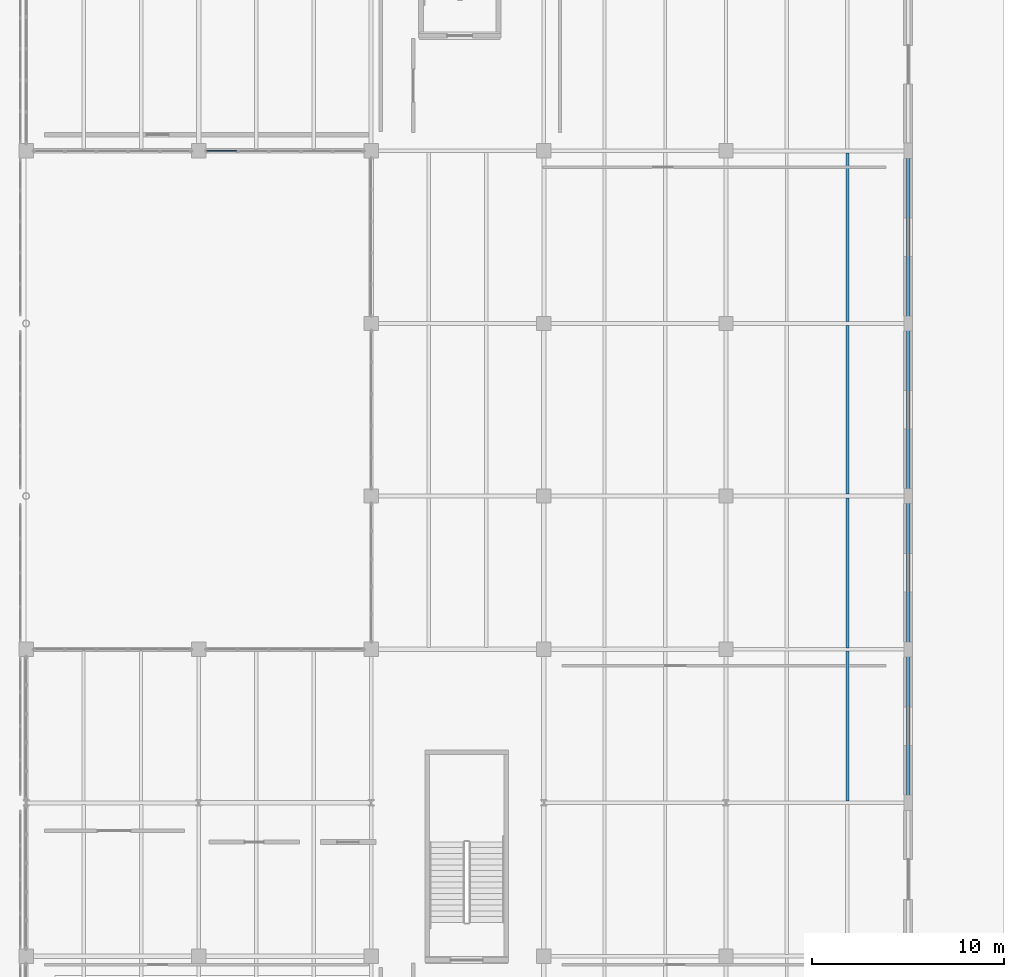
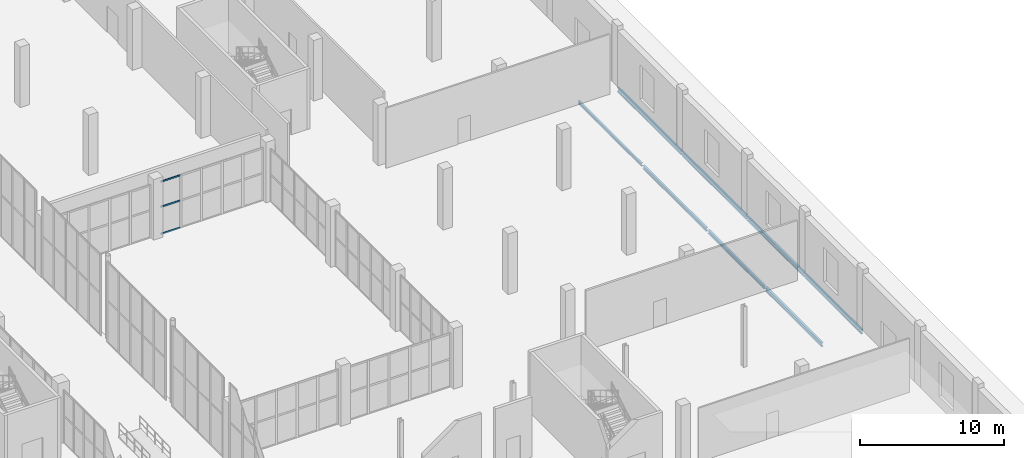
# One storey, part 61 of 103: 8 beams, 3 members, 1 element without a shape of its own.
"""IFC4 building model written with IfcOpenShell, lengths in metres."""

import ifcopenshell
import ifcopenshell.guid

model = None  # the IFC model being written
_history = None  # IfcOwnerHistory: only IFC2X3 demands one
_inside = {}  # id of a spatial element -> (the spatial element, [elements in it])
_under = {}  # id of a project, library or spatial element -> (it, [spatial elements below it])
_declared = {}  # id of a project -> (the project, [libraries it declares])
_typed = {}  # id of a type object -> (the type object, [elements of that type])
_made_of = {}  # id of a material, layer set ... -> (it, [elements and type objects made of it])


def new_model(schema):
    """Start an empty IFC model of exactly this schema.

    Asked for "IFC4X3", IfcOpenShell would pick the latest addendum, in which some entities
    have other attributes; the version numbers below select the first issue.
    IFC2X3 requires an IfcOwnerHistory on every rooted entity: one is made here for all.
    """
    global model, _history
    if schema == "IFC4X3":
        model = ifcopenshell.file(schema_version=(4, 3, 0, 0))
    else:
        model = ifcopenshell.file(schema=schema)
    _inside.clear()
    _under.clear()
    _declared.clear()
    _typed.clear()
    _made_of.clear()
    _history = None
    if model.schema == "IFC2X3":
        org = make("IfcOrganization", Name="unknown")
        user = make(
            "IfcPersonAndOrganization",
            ThePerson=make("IfcPerson", FamilyName="unknown"),
            TheOrganization=org,
        )
        app = make(
            "IfcApplication",
            ApplicationDeveloper=org,
            Version="unknown",
            ApplicationFullName="unknown",
            ApplicationIdentifier="unknown",
        )
        _history = make(
            "IfcOwnerHistory",
            OwningUser=user,
            OwningApplication=app,
            ChangeAction="ADDED",
            CreationDate=0,
        )
    return model


def make(cls, **values):
    """One entity of the class cls with the attributes given. An attribute that is None is left unset."""
    return model.create_entity(
        cls, **{name: value for name, value in values.items() if value is not None}
    )


def rooted(cls, **values):
    """An entity with a GlobalId (a new one), such as an element, a storey or a relation."""
    return make(cls, GlobalId=ifcopenshell.guid.new(), OwnerHistory=_history, **values)


def si_unit(unit_type, name, prefix=None):
    """IfcSIUnit, for example si_unit("LENGTHUNIT", "METRE", prefix="MILLI")."""
    return make("IfcSIUnit", UnitType=unit_type, Prefix=prefix, Name=name)


def assignment(units):
    """IfcUnitAssignment: the units of a project."""
    return None if units is None else make("IfcUnitAssignment", Units=units)


def point(xyz):
    """IfcCartesianPoint."""
    return None if xyz is None else make("IfcCartesianPoint", Coordinates=xyz)


def direction(xyz):
    """IfcDirection."""
    return None if xyz is None else make("IfcDirection", DirectionRatios=xyz)


def frame(location, z_axis=None, x_axis=None):
    """IfcAxis2Placement3D, a coordinate frame: its origin and axes. An axis left out is left unset."""
    return make(
        "IfcAxis2Placement3D",
        Location=point(location),
        Axis=direction(z_axis),
        RefDirection=direction(x_axis),
    )


def frame_2d(location, x_axis=None):
    """IfcAxis2Placement2D, a coordinate frame in the plane: its origin and x axis."""
    return make(
        "IfcAxis2Placement2D", Location=point(location), RefDirection=direction(x_axis)
    )


def origin():
    """The frame at (0, 0, 0) with its axes left unset."""
    return frame((0.0, 0.0, 0.0))


def origin_2d():
    """The frame at (0, 0) in the plane with its x axis left unset."""
    return frame_2d((0.0, 0.0))


def place(relative_to, where):
    """IfcLocalPlacement: puts the frame where relative to a parent placement (None: the world)."""
    return make(
        "IfcLocalPlacement", PlacementRelTo=relative_to, RelativePlacement=where
    )


def context(
    kind, dimensions, precision=None, world=None, true_north=None, identifier=None
):
    """IfcGeometricRepresentationContext, for example the 3D "Model" context."""
    return make(
        "IfcGeometricRepresentationContext",
        ContextIdentifier=identifier,
        ContextType=kind,
        CoordinateSpaceDimension=dimensions,
        Precision=precision,
        WorldCoordinateSystem=world,
        TrueNorth=true_north,
    )


def subcontext(parent, identifier, kind, view, scale=None):
    """IfcGeometricRepresentationSubContext, for example "Body" below "Model"."""
    return make(
        "IfcGeometricRepresentationSubContext",
        ContextIdentifier=identifier,
        ContextType=kind,
        ParentContext=parent,
        TargetScale=scale,
        TargetView=view,
    )


def project(units=None, contexts=None):
    """IfcProject with its units and contexts."""
    return rooted(
        "IfcProject",
        Name="project",
        RepresentationContexts=contexts,
        UnitsInContext=assignment(units),
    )


def spatial(cls, under=None, at=None, **own):
    """A site, building, storey or space (cls), placed at a placement, below another one or the project."""
    s = rooted(cls, ObjectPlacement=at, **own)
    if under is not None:
        _under.setdefault(under.id(), (under, []))[1].append(s)
    return s


def profile(cls, at=None, kind="AREA", **sizes):
    """A parametric profile (cls). Its sizes go by their IFC names, for example OverallWidth=200.0."""
    return make(cls, ProfileType=kind, Position=at, **sizes)


def rectangle(**sizes):
    """IfcRectangleProfileDef."""
    return profile("IfcRectangleProfileDef", **sizes)


def i_section(**sizes):
    """IfcIShapeProfileDef."""
    return profile("IfcIShapeProfileDef", **sizes)


def extrude(swept, where, along, depth):
    """IfcExtrudedAreaSolid: the profile swept, set in the frame where, extruded along a direction by depth."""
    return make(
        "IfcExtrudedAreaSolid",
        SweptArea=swept,
        Position=where,
        ExtrudedDirection=direction(along),
        Depth=depth,
    )


def shape(context_of_items, identifier, shape_type, items):
    """IfcShapeRepresentation: the items that make up one representation, for example the "Body"."""
    return make(
        "IfcShapeRepresentation",
        ContextOfItems=context_of_items,
        RepresentationIdentifier=identifier,
        RepresentationType=shape_type,
        Items=items,
    )


def material(Name=None, Category=None):
    """IfcMaterial."""
    return make("IfcMaterial", Name=Name, Category=Category)


def layer(
    of_material, thickness, ventilated=None, Name=None, Category=None, Priority=None
):
    """IfcMaterialLayer: one layer of a wall or slab, of a material (None: an air gap)."""
    return make(
        "IfcMaterialLayer",
        Material=of_material,
        LayerThickness=thickness,
        IsVentilated=ventilated,
        Name=Name,
        Category=Category,
        Priority=Priority,
    )


def layer_set(layers, Name=None):
    """IfcMaterialLayerSet."""
    return make("IfcMaterialLayerSet", MaterialLayers=layers, LayerSetName=Name)


def material_profile(
    of_material, cross_section, Name=None, Category=None, Priority=None
):
    """IfcMaterialProfile: a cross section and its material."""
    return make(
        "IfcMaterialProfile",
        Name=Name,
        Material=of_material,
        Profile=cross_section,
        Priority=Priority,
        Category=Category,
    )


def profile_set(profiles, Name=None, composite=None):
    """IfcMaterialProfileSet."""
    return make(
        "IfcMaterialProfileSet",
        Name=Name,
        MaterialProfiles=profiles,
        CompositeProfile=composite,
    )


def made_of(thing, what):
    """Note that an element or type object is made of a material, layer set ...; save() writes the relation."""
    if what is not None:
        _made_of.setdefault(what.id(), (what, []))[1].append(thing)
    return thing


def type_object(cls, material=None, **own):
    """A type object (cls), such as IfcWallType, which elements share."""
    return made_of(rooted(cls, **own), material)


def element(
    cls,
    number,
    at=None,
    inside=None,
    cuts=None,
    type_object=None,
    material=None,
    context=None,
    identifier="Body",
    shape_type=None,
    held_by="IfcProductDefinitionShape",
    body=None,
    shapes=None,
    **own,
):
    """One element of the class cls, such as IfcWall. Its Tag is "e" and its number.

    at: its placement. inside: the storey or other place that contains it. cuts: it is an
    opening in that element (IfcRelVoidsElement). A single representation is given by context,
    identifier, shape_type and body (its items); several are given by shapes. held_by: the class
    of the entity that holds the representations. save() writes the other relations.
    """
    e = rooted(cls, Tag="e%d" % number, ObjectPlacement=at, **own)
    if body is not None:
        shapes = [shape(context, identifier, shape_type, body)]
    if shapes is not None:
        e.Representation = make(held_by, Representations=shapes)
    if inside is not None:
        _inside.setdefault(inside.id(), (inside, []))[1].append(e)
    if cuts is not None:
        rooted(
            "IfcRelVoidsElement", RelatingBuildingElement=cuts, RelatedOpeningElement=e
        )
    if type_object is not None:
        _typed.setdefault(type_object.id(), (type_object, []))[1].append(e)
    return made_of(e, material)


def aggregate(whole, parts):
    """IfcRelAggregates: a whole, such as a stair, and the parts it consists of."""
    return rooted("IfcRelAggregates", RelatingObject=whole, RelatedObjects=parts)


def save(model, path):
    """Write the relations noted so far, then the file.

    IfcRelAggregates (storeys below a building ...), IfcRelContainedInSpatialStructure (elements
    in a storey), IfcRelDefinesByType, IfcRelAssociatesMaterial and IfcRelDeclares: one each for
    every whole, place, type object, material and project.
    """
    for whole, parts in _under.values():
        aggregate(whole, parts)
    for where, things in _inside.values():
        rooted(
            "IfcRelContainedInSpatialStructure",
            RelatedElements=things,
            RelatingStructure=where,
        )
    for kind, things in _typed.values():
        rooted("IfcRelDefinesByType", RelatedObjects=things, RelatingType=kind)
    for what, things in _made_of.values():
        rooted("IfcRelAssociatesMaterial", RelatedObjects=things, RelatingMaterial=what)
    for by, libraries in _declared.values():
        rooted("IfcRelDeclares", RelatingContext=by, RelatedDefinitions=libraries)
    model.write(path)


model = new_model("IFC4")

# Units and contexts
model_context = context("Model", 3, precision=1e-05, world=origin(), true_north=direction((0.0, 1.0)))
body_context = subcontext(model_context, "Body", "Model", "MODEL_VIEW")
ifc_project = project(units=[si_unit("LENGTHUNIT", "METRE"), si_unit("AREAUNIT", "SQUARE_METRE"), si_unit("VOLUMEUNIT", "CUBIC_METRE"), si_unit("PLANEANGLEUNIT", "RADIAN"), si_unit("MASSUNIT", "GRAM", prefix="KILO")], contexts=[model_context])

# Site, building, storey
site_placement = place(None, origin())
site = spatial("IfcSite", under=ifc_project, at=site_placement, CompositionType="ELEMENT")
building_placement = place(site_placement, origin())
building = spatial("IfcBuilding", under=site, at=building_placement, Name="Marnock Terrace Opera House", CompositionType="ELEMENT")
storey_placement = place(building_placement, origin())
storey = spatial("IfcBuildingStorey", under=building, at=storey_placement, Name="L00", CompositionType="ELEMENT", Elevation=0.0)

# Beams
ifc_material_1 = material(Name="Steel Grade 350 (AS/NZS 3679.1)", Category="steel")
ifc_material_profile_1 = material_profile(ifc_material_1, i_section(OverallWidth=0.14599609375, OverallDepth=0.256103515625, WebThickness=0.00634765625, FlangeThickness=0.010986328125, FilletRadius=0.0087890625, at=origin_2d()))
ifc_profile_set_1 = profile_set([ifc_material_profile_1], Name="Steel Grade 350 (AS/NZS 3679.1)")
beam_type_1 = type_object("IfcBeamType", Name="BM-JOIST-250", PredefinedType="JOIST", material=ifc_profile_set_1)
beam_1_placement = place(storey_placement, frame((160.833251953125, 57.10888671875, -0.427978515625), z_axis=(0.0, 1.0, 0.0), x_axis=(-1.0, 0.0, 0.0)))
element("IfcBeam", 1, at=beam_1_placement, inside=storey, type_object=beam_type_1, Name="L00 secondary joist 17.7.2", PredefinedType="JOIST", context=body_context, shape_type="SweptSolid", body=[
    extrude(i_section(OverallWidth=0.14599609375, OverallDepth=0.256103515625, WebThickness=0.00634765625, FlangeThickness=0.010986328125, FilletRadius=0.0087890625, at=origin_2d()), origin(), (0.0, 0.0, 1.0), 8.79150390625),
])
ifc_material_profile_2 = material_profile(ifc_material_1, i_section(OverallWidth=0.166015625, OverallDepth=0.30712890625, WebThickness=0.006591796875, FlangeThickness=0.01171875, FilletRadius=0.011474609375, at=origin_2d()))
ifc_profile_set_2 = profile_set([ifc_material_profile_2], Name="Steel Grade 350 (AS/NZS 3679.1)")
beam_type_2 = type_object("IfcBeamType", Name="BM-JOIST-310A", PredefinedType="JOIST", material=ifc_profile_set_2)
beam_2_placement = place(storey_placement, frame((160.833251953125, 40.083984375, -0.45361328125), z_axis=(0.0, 1.0, 0.0), x_axis=(-1.0, 0.0, 0.0)))
element("IfcBeam", 2, at=beam_2_placement, inside=storey, type_object=beam_type_2, Name="L00 secondary joist 17.5.2", PredefinedType="JOIST", context=body_context, shape_type="SweptSolid", body=[
    extrude(i_section(OverallWidth=0.166015625, OverallDepth=0.30712890625, WebThickness=0.006591796875, FlangeThickness=0.01171875, FilletRadius=0.011474609375, at=origin_2d()), origin(), (0.0, 0.0, 1.0), 7.806396484375),
])
ifc_material_profile_3 = material_profile(ifc_material_1, i_section(OverallWidth=0.1650390625, OverallDepth=0.3037109375, WebThickness=0.006103515625, FlangeThickness=0.01025390625, FilletRadius=0.011474609375, at=origin_2d()))
ifc_profile_set_3 = profile_set([ifc_material_profile_3], Name="Steel Grade 350 (AS/NZS 3679.1)")
beam_type_3 = type_object("IfcBeamType", Name="BM-JOIST-310B", PredefinedType="JOIST", material=ifc_profile_set_3)
beam_3_placement = place(storey_placement, frame((160.833251953125, 48.109619140625, -0.451904296875), z_axis=(0.0, 1.0, 0.0), x_axis=(-1.0, 0.0, 0.0)))
element("IfcBeam", 3, at=beam_3_placement, inside=storey, type_object=beam_type_3, Name="L00 secondary joist 17.6.2", PredefinedType="JOIST", context=body_context, shape_type="SweptSolid", body=[
    extrude(i_section(OverallWidth=0.1650390625, OverallDepth=0.3037109375, WebThickness=0.006103515625, FlangeThickness=0.01025390625, FilletRadius=0.011474609375, at=origin_2d()), origin(), (0.0, 0.0, 1.0), 8.781494140625),
])
ifc_material_profile_4 = material_profile(ifc_material_1, i_section(OverallWidth=0.172119140625, OverallDepth=0.358642578125, WebThickness=0.008056640625, FlangeThickness=0.012939453125, FilletRadius=0.011474609375, at=origin_2d()))
ifc_profile_set_4 = profile_set([ifc_material_profile_4], Name="Steel Grade 350 (AS/NZS 3679.1)")
beam_type_4 = type_object("IfcBeamType", Name="BM-JOIST-360", PredefinedType="JOIST", material=ifc_profile_set_4)
beam_4_placement = place(storey_placement, frame((160.833251953125, 32.090576171875, -0.479248046875), z_axis=(0.0, 1.0, 0.0), x_axis=(-1.0, 0.0, 0.0)))
element("IfcBeam", 4, at=beam_4_placement, inside=storey, type_object=beam_type_4, Name="L00 secondary joist 17.4.2", PredefinedType="JOIST", context=body_context, shape_type="SweptSolid", body=[
    extrude(i_section(OverallWidth=0.172119140625, OverallDepth=0.358642578125, WebThickness=0.008056640625, FlangeThickness=0.012939453125, FilletRadius=0.011474609375, at=origin_2d()), origin(), (0.0, 0.0, 1.0), 7.825439453125),
])
ifc_material_profile_5 = material_profile(ifc_material_1, i_section(OverallWidth=0.172119140625, OverallDepth=0.358642578125, WebThickness=0.008056640625, FlangeThickness=0.012939453125, FilletRadius=0.011474609375, at=origin_2d()))
ifc_profile_set_5 = profile_set([ifc_material_profile_5], Name="Steel Grade 350 (AS/NZS 3679.1)")
beam_type_5 = type_object("IfcBeamType", Name="BM-SPAN-360", PredefinedType="SPANDREL", material=ifc_profile_set_5)
for number, where, z_axis, x_axis, name in (
    (5, (164.0, 32.050048828125, -0.479248046875), (0.0, 1.0, 0.0), (-1.0, 0.0, 0.0), "L00 girder (X=164.0, 32.0..40.0)"),
    (6, (164.0, 40.050048828125, -0.479248046875), (0.0, 1.0, 0.0), (-1.0, 0.0, 0.0), "L00 girder (X=164.0, 40.0..48.0)"),
):
    element("IfcBeam", number, at=place(storey_placement, frame(where, z_axis=z_axis, x_axis=x_axis)), inside=storey, type_object=beam_type_5, Name=name, PredefinedType="SPANDREL", context=body_context, shape_type="SweptSolid", body=[
        extrude(i_section(OverallWidth=0.172119140625, OverallDepth=0.358642578125, WebThickness=0.008056640625, FlangeThickness=0.012939453125, FilletRadius=0.011474609375, at=origin_2d()), origin(), (0.0, 0.0, 1.0), 7.89990234375),
    ])
for number, where, z_axis, x_axis, name in (
    (7, (164.0, 48.050048828125, -0.479248046875), (0.0, 1.0, 0.0), (-1.0, 0.0, 0.0), "L00 girder (X=164.0, 48.0..57.0)"),
    (8, (164.0, 57.050048828125, -0.479248046875), (0.0, 1.0, 0.0), (-1.0, 0.0, 0.0), "L00 girder (X=164.0, 57.0..66.0)"),
):
    element("IfcBeam", number, at=place(storey_placement, frame(where, z_axis=z_axis, x_axis=x_axis)), inside=storey, type_object=beam_type_5, Name=name, PredefinedType="SPANDREL", context=body_context, shape_type="SweptSolid", body=[
        extrude(i_section(OverallWidth=0.172119140625, OverallDepth=0.358642578125, WebThickness=0.008056640625, FlangeThickness=0.012939453125, FilletRadius=0.011474609375, at=origin_2d()), origin(), (0.0, 0.0, 1.0), 8.89990234375),
    ])

# Curtain wall, members
ifc_material_2 = material(Name="Anodised architectural bronze aluminium framing", Category="aluminium")
ifc_layer = layer(ifc_material_2, 0.159912109375)
ifc_layer_set = layer_set([ifc_layer], Name="Anodised architectural bronze aluminium framing")
curtain_wall_type = type_object("IfcCurtainWallType", Name="CW-LOGGIA-86x51", PredefinedType="NOTDEFINED", material=ifc_layer_set)
curtain_wall_placement = place(storey_placement, origin())
curtain_wall = element("IfcCurtainWall", 9, at=curtain_wall_placement, inside=storey, type_object=curtain_wall_type, Name="L00 glazed Beaux-Arts colonnade curtain wall CW-V5-L00-CN2", PredefinedType="NOTDEFINED")
ifc_material_profile_6 = material_profile(ifc_material_2, rectangle(XDim=0.06005859375, YDim=0.1298828125, at=origin_2d()))
ifc_profile_set_6 = profile_set([ifc_material_profile_6], Name="Anodised architectural bronze aluminium framing")
member_type = type_object("IfcMemberType", Name="CWT-60x130", PredefinedType="USERDEFINED", material=ifc_profile_set_6)
member_1_placement = place(storey_placement, frame((127.430908203125, 66.0, 0.030029296875), z_axis=(1.0, 0.0, 0.0), x_axis=(0.0, 1.0, 0.0)))
member_1 = element("IfcMember", 10, at=member_1_placement, type_object=member_type, Name="CW-96 transom 1.1", ObjectType="TRANSOM", PredefinedType="USERDEFINED", context=body_context, shape_type="SweptSolid", body=[
    extrude(rectangle(XDim=0.06005859375, YDim=0.1298828125, at=origin_2d()), origin(), (0.0, 0.0, 1.0), 1.561767578125),
])
member_2_placement = place(storey_placement, frame((127.430908203125, 66.0, 2.328857421875), z_axis=(1.0, 0.0, 0.0), x_axis=(0.0, 1.0, 0.0)))
member_2 = element("IfcMember", 11, at=member_2_placement, type_object=member_type, Name="CW-96 transom 1.2", ObjectType="TRANSOM", PredefinedType="USERDEFINED", context=body_context, shape_type="SweptSolid", body=[
    extrude(rectangle(XDim=0.06005859375, YDim=0.1298828125, at=origin_2d()), origin(), (0.0, 0.0, 1.0), 1.561767578125),
])
member_3_placement = place(storey_placement, frame((127.430908203125, 66.0, 4.448486328125), z_axis=(1.0, 0.0, 0.0), x_axis=(0.0, 1.0, 0.0)))
member_3 = element("IfcMember", 12, at=member_3_placement, type_object=member_type, Name="CW-96 transom 1.3", ObjectType="TRANSOM", PredefinedType="USERDEFINED", context=body_context, shape_type="SweptSolid", body=[
    extrude(rectangle(XDim=0.06005859375, YDim=0.1298828125, at=origin_2d()), origin(), (0.0, 0.0, 1.0), 1.561767578125),
])
aggregate(curtain_wall, [member_1, member_2, member_3])

save(model, "model.ifc")
